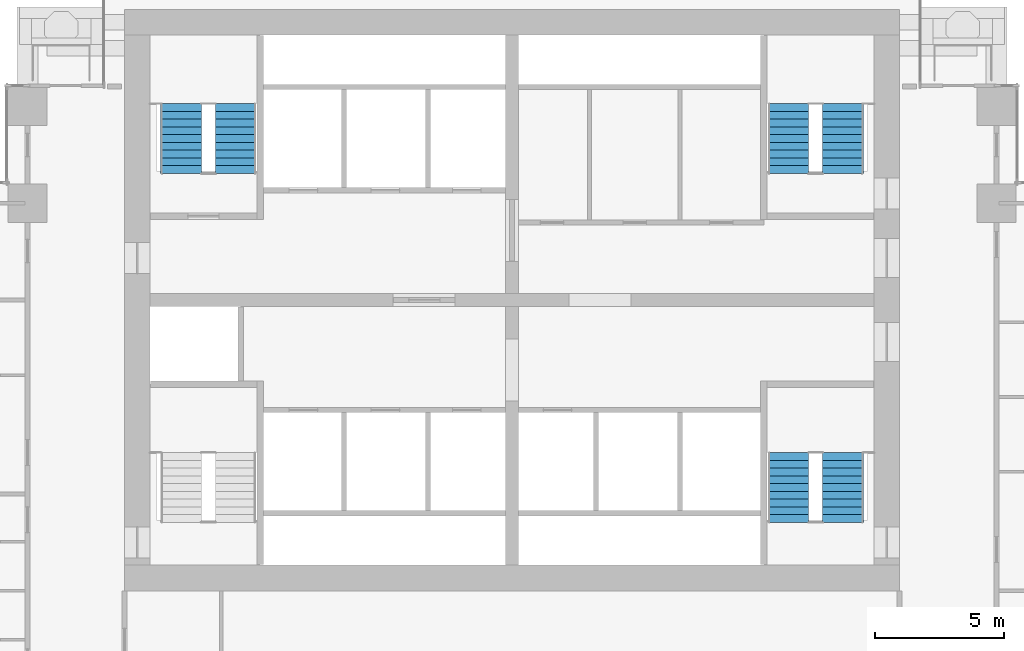
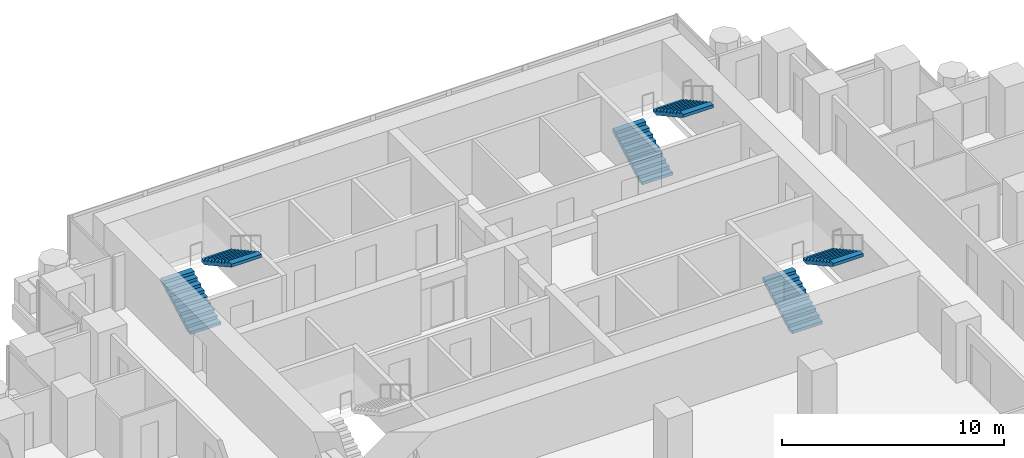
# One storey, part 16 of 19: 6 stair flights, 3 elements without a shape of their own.
"""IFC4 building model written with IfcOpenShell, lengths in metres."""

from ifc_helpers import new_model, si_unit, direction, frame, origin, place, context, subcontext, project, spatial, polyline, outline, extrude, material, type_object, element, aggregate, save


model = new_model("IFC4")

# Units and contexts
model_context = context("Model", 3, precision=1e-05, world=origin(), true_north=direction((0.0, 1.0)))
body_context = subcontext(model_context, "Body", "Model", "MODEL_VIEW")
ifc_project = project(units=[si_unit("LENGTHUNIT", "METRE"), si_unit("AREAUNIT", "SQUARE_METRE"), si_unit("VOLUMEUNIT", "CUBIC_METRE"), si_unit("PLANEANGLEUNIT", "RADIAN"), si_unit("MASSUNIT", "GRAM", prefix="KILO")], contexts=[model_context])

# Site, building, storey
site_placement = place(None, origin())
site = spatial("IfcSite", under=ifc_project, at=site_placement, CompositionType="ELEMENT")
building_placement = place(site_placement, origin())
building = spatial("IfcBuilding", under=site, at=building_placement, Name="Pilkhan Gate Tower", CompositionType="ELEMENT")
storey_placement = place(building_placement, frame((0.0, 0.0, 89.0)))
storey = spatial("IfcBuildingStorey", under=building, at=storey_placement, Name="L21", CompositionType="ELEMENT", Elevation=89.0)

# Stair, stair flights
ifc_material = material(Name="Concrete C40/50 precast", Category="concrete")
stair_type_1 = type_object("IfcStairType", Name="Stair ST1 165x300", PredefinedType="HALF_TURN_STAIR", material=ifc_material)
stair_1_placement = place(storey_placement, origin())
stair_1 = element("IfcStair", 1, at=stair_1_placement, inside=storey, type_object=stair_type_1, Name="Stair ST1 L21", PredefinedType="HALF_TURN_STAIR")
stair_flight_type_1 = type_object("IfcStairFlightType", Name="Stair flight ST1 165x300x10", PredefinedType="STRAIGHT", material=ifc_material)
stair_flight_1_placement = place(storey_placement, frame((85.68994140625, 73.89990234375, 0.0), z_axis=(0.0, 0.0, 1.0), x_axis=(0.0, 1.0, 0.0)))
stair_flight_1 = element("IfcStairFlight", 2, at=stair_flight_1_placement, type_object=stair_flight_type_1, Name="ST1 flight 1", NumberOfRisers=10, NumberOfTreads=9, PredefinedType="STRAIGHT", RiserHeight=0.165, TreadLength=0.3, context=body_context, shape_type="SweptSolid", body=[
    extrude(outline(polyline([(0.0, 0.0), (0.0, 0.1650390625), (0.300048828125, 0.1650390625), (0.300048828125, 0.330078125), (0.60009765625, 0.330078125), (0.60009765625, 0.4951171875), (0.89990234375, 0.4951171875), (0.89990234375, 0.659912109375), (1.199951171875, 0.659912109375), (1.199951171875, 0.824951171875), (1.5, 0.824951171875), (1.5, 0.989990234375), (1.800048828125, 0.989990234375), (1.800048828125, 1.155029296875), (2.10009765625, 1.155029296875), (2.10009765625, 1.320068359375), (2.39990234375, 1.320068359375), (2.39990234375, 1.485107421875), (2.699951171875, 1.485107421875), (2.699951171875, 1.64990234375), (2.699951171875, 1.31396484375), (0.31103515625, 0.0), (0.0, 0.0)])), frame((0.0, 0.7900390625, 0.0), z_axis=(0.0, -1.0, 0.0), x_axis=(1.0, 0.0, 0.0)), (0.0, 0.0, 1.0), 1.580078125),
])
stair_flight_2_placement = place(storey_placement, frame((87.81005859375, 76.60009765625, 1.64990234375), z_axis=(0.0, 0.0, 1.0), x_axis=(0.0, -1.0, 0.0)))
stair_flight_2 = element("IfcStairFlight", 3, at=stair_flight_2_placement, type_object=stair_flight_type_1, Name="ST1 flight 2", NumberOfRisers=10, NumberOfTreads=9, PredefinedType="STRAIGHT", RiserHeight=0.165, TreadLength=0.3, context=body_context, shape_type="SweptSolid", body=[
    extrude(outline(polyline([(0.0, 0.0), (0.0, 0.1650390625), (0.300048828125, 0.1650390625), (0.300048828125, 0.330078125), (0.60009765625, 0.330078125), (0.60009765625, 0.4951171875), (0.89990234375, 0.4951171875), (0.89990234375, 0.659912109375), (1.199951171875, 0.659912109375), (1.199951171875, 0.824951171875), (1.5, 0.824951171875), (1.5, 0.989990234375), (1.800048828125, 0.989990234375), (1.800048828125, 1.155029296875), (2.10009765625, 1.155029296875), (2.10009765625, 1.320068359375), (2.39990234375, 1.320068359375), (2.39990234375, 1.485107421875), (2.699951171875, 1.485107421875), (2.699951171875, 1.64990234375), (2.699951171875, 1.31396484375), (0.31103515625, 0.0), (0.0, 0.0)])), frame((0.0, 0.7900390625, 0.0), z_axis=(0.0, -1.0, 0.0), x_axis=(1.0, 0.0, 0.0)), (0.0, 0.0, 1.0), 1.580078125),
])
aggregate(stair_1, [stair_flight_1, stair_flight_2])

stair_type_2 = type_object("IfcStairType", Name="Stair ST3 165x300", PredefinedType="HALF_TURN_STAIR", material=ifc_material)
stair_2_placement = place(storey_placement, origin())
stair_2 = element("IfcStair", 4, at=stair_2_placement, inside=storey, type_object=stair_type_2, Name="Stair ST3 L21", PredefinedType="HALF_TURN_STAIR")
stair_flight_type_2 = type_object("IfcStairFlightType", Name="Stair flight ST3 165x300x10", PredefinedType="STRAIGHT", material=ifc_material)
stair_flight_3_placement = place(storey_placement, frame((62.18994140625, 87.39990234375, 0.0), z_axis=(0.0, 0.0, 1.0), x_axis=(0.0, 1.0, 0.0)))
stair_flight_3 = element("IfcStairFlight", 5, at=stair_flight_3_placement, type_object=stair_flight_type_2, Name="ST3 flight 1", NumberOfRisers=10, NumberOfTreads=9, PredefinedType="STRAIGHT", RiserHeight=0.165, TreadLength=0.3, context=body_context, shape_type="SweptSolid", body=[
    extrude(outline(polyline([(0.0, 0.0), (0.0, 0.1650390625), (0.300048828125, 0.1650390625), (0.300048828125, 0.330078125), (0.60009765625, 0.330078125), (0.60009765625, 0.4951171875), (0.89990234375, 0.4951171875), (0.89990234375, 0.659912109375), (1.199951171875, 0.659912109375), (1.199951171875, 0.824951171875), (1.5, 0.824951171875), (1.5, 0.989990234375), (1.800048828125, 0.989990234375), (1.800048828125, 1.155029296875), (2.10009765625, 1.155029296875), (2.10009765625, 1.320068359375), (2.39990234375, 1.320068359375), (2.39990234375, 1.485107421875), (2.699951171875, 1.485107421875), (2.699951171875, 1.64990234375), (2.699951171875, 1.31396484375), (0.31103515625, 0.0), (0.0, 0.0)])), frame((0.0, 0.7900390625, 0.0), z_axis=(0.0, -1.0, 0.0), x_axis=(1.0, 0.0, 0.0)), (0.0, 0.0, 1.0), 1.580078125),
])
stair_flight_4_placement = place(storey_placement, frame((64.31005859375, 90.10009765625, 1.64990234375), z_axis=(0.0, 0.0, 1.0), x_axis=(0.0, -1.0, 0.0)))
stair_flight_4 = element("IfcStairFlight", 6, at=stair_flight_4_placement, type_object=stair_flight_type_2, Name="ST3 flight 2", NumberOfRisers=10, NumberOfTreads=9, PredefinedType="STRAIGHT", RiserHeight=0.165, TreadLength=0.3, context=body_context, shape_type="SweptSolid", body=[
    extrude(outline(polyline([(0.0, 0.0), (0.0, 0.1650390625), (0.300048828125, 0.1650390625), (0.300048828125, 0.330078125), (0.60009765625, 0.330078125), (0.60009765625, 0.4951171875), (0.89990234375, 0.4951171875), (0.89990234375, 0.659912109375), (1.199951171875, 0.659912109375), (1.199951171875, 0.824951171875), (1.5, 0.824951171875), (1.5, 0.989990234375), (1.800048828125, 0.989990234375), (1.800048828125, 1.155029296875), (2.10009765625, 1.155029296875), (2.10009765625, 1.320068359375), (2.39990234375, 1.320068359375), (2.39990234375, 1.485107421875), (2.699951171875, 1.485107421875), (2.699951171875, 1.64990234375), (2.699951171875, 1.31396484375), (0.31103515625, 0.0), (0.0, 0.0)])), frame((0.0, 0.7900390625, 0.0), z_axis=(0.0, -1.0, 0.0), x_axis=(1.0, 0.0, 0.0)), (0.0, 0.0, 1.0), 1.580078125),
])
aggregate(stair_2, [stair_flight_3, stair_flight_4])

stair_type_3 = type_object("IfcStairType", Name="Stair ST4 165x300", PredefinedType="HALF_TURN_STAIR", material=ifc_material)
stair_3_placement = place(storey_placement, origin())
stair_3 = element("IfcStair", 7, at=stair_3_placement, inside=storey, type_object=stair_type_3, Name="Stair ST4 L21", PredefinedType="HALF_TURN_STAIR")
stair_flight_type_3 = type_object("IfcStairFlightType", Name="Stair flight ST4 165x300x10", PredefinedType="STRAIGHT", material=ifc_material)
stair_flight_5_placement = place(storey_placement, frame((85.68994140625, 87.39990234375, 0.0), z_axis=(0.0, 0.0, 1.0), x_axis=(0.0, 1.0, 0.0)))
stair_flight_5 = element("IfcStairFlight", 8, at=stair_flight_5_placement, type_object=stair_flight_type_3, Name="ST4 flight 1", NumberOfRisers=10, NumberOfTreads=9, PredefinedType="STRAIGHT", RiserHeight=0.165, TreadLength=0.3, context=body_context, shape_type="SweptSolid", body=[
    extrude(outline(polyline([(0.0, 0.0), (0.0, 0.1650390625), (0.300048828125, 0.1650390625), (0.300048828125, 0.330078125), (0.60009765625, 0.330078125), (0.60009765625, 0.4951171875), (0.89990234375, 0.4951171875), (0.89990234375, 0.659912109375), (1.199951171875, 0.659912109375), (1.199951171875, 0.824951171875), (1.5, 0.824951171875), (1.5, 0.989990234375), (1.800048828125, 0.989990234375), (1.800048828125, 1.155029296875), (2.10009765625, 1.155029296875), (2.10009765625, 1.320068359375), (2.39990234375, 1.320068359375), (2.39990234375, 1.485107421875), (2.699951171875, 1.485107421875), (2.699951171875, 1.64990234375), (2.699951171875, 1.31396484375), (0.31103515625, 0.0), (0.0, 0.0)])), frame((0.0, 0.7900390625, 0.0), z_axis=(0.0, -1.0, 0.0), x_axis=(1.0, 0.0, 0.0)), (0.0, 0.0, 1.0), 1.580078125),
])
stair_flight_6_placement = place(storey_placement, frame((87.81005859375, 90.10009765625, 1.64990234375), z_axis=(0.0, 0.0, 1.0), x_axis=(0.0, -1.0, 0.0)))
stair_flight_6 = element("IfcStairFlight", 9, at=stair_flight_6_placement, type_object=stair_flight_type_3, Name="ST4 flight 2", NumberOfRisers=10, NumberOfTreads=9, PredefinedType="STRAIGHT", RiserHeight=0.165, TreadLength=0.3, context=body_context, shape_type="SweptSolid", body=[
    extrude(outline(polyline([(0.0, 0.0), (0.0, 0.1650390625), (0.300048828125, 0.1650390625), (0.300048828125, 0.330078125), (0.60009765625, 0.330078125), (0.60009765625, 0.4951171875), (0.89990234375, 0.4951171875), (0.89990234375, 0.659912109375), (1.199951171875, 0.659912109375), (1.199951171875, 0.824951171875), (1.5, 0.824951171875), (1.5, 0.989990234375), (1.800048828125, 0.989990234375), (1.800048828125, 1.155029296875), (2.10009765625, 1.155029296875), (2.10009765625, 1.320068359375), (2.39990234375, 1.320068359375), (2.39990234375, 1.485107421875), (2.699951171875, 1.485107421875), (2.699951171875, 1.64990234375), (2.699951171875, 1.31396484375), (0.31103515625, 0.0), (0.0, 0.0)])), frame((0.0, 0.7900390625, 0.0), z_axis=(0.0, -1.0, 0.0), x_axis=(1.0, 0.0, 0.0)), (0.0, 0.0, 1.0), 1.580078125),
])
aggregate(stair_3, [stair_flight_5, stair_flight_6])

save(model, "model.ifc")
